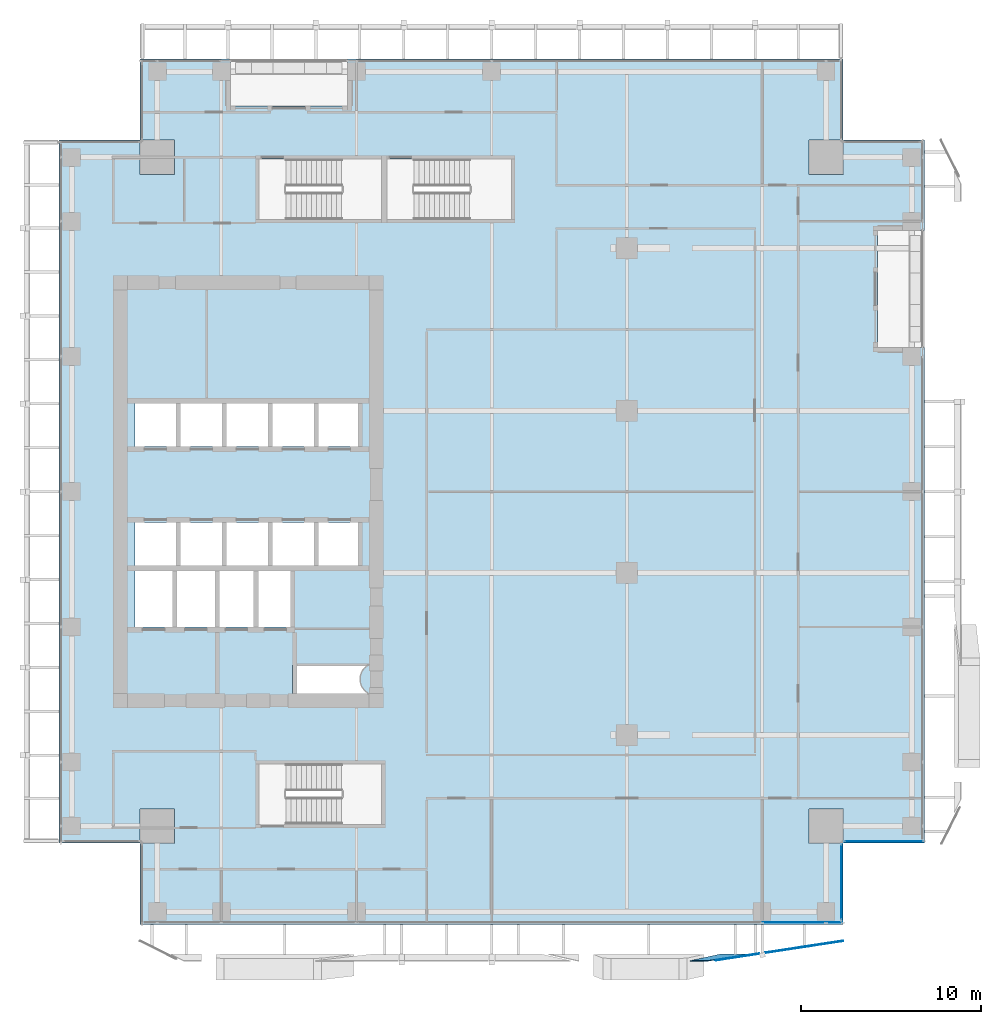
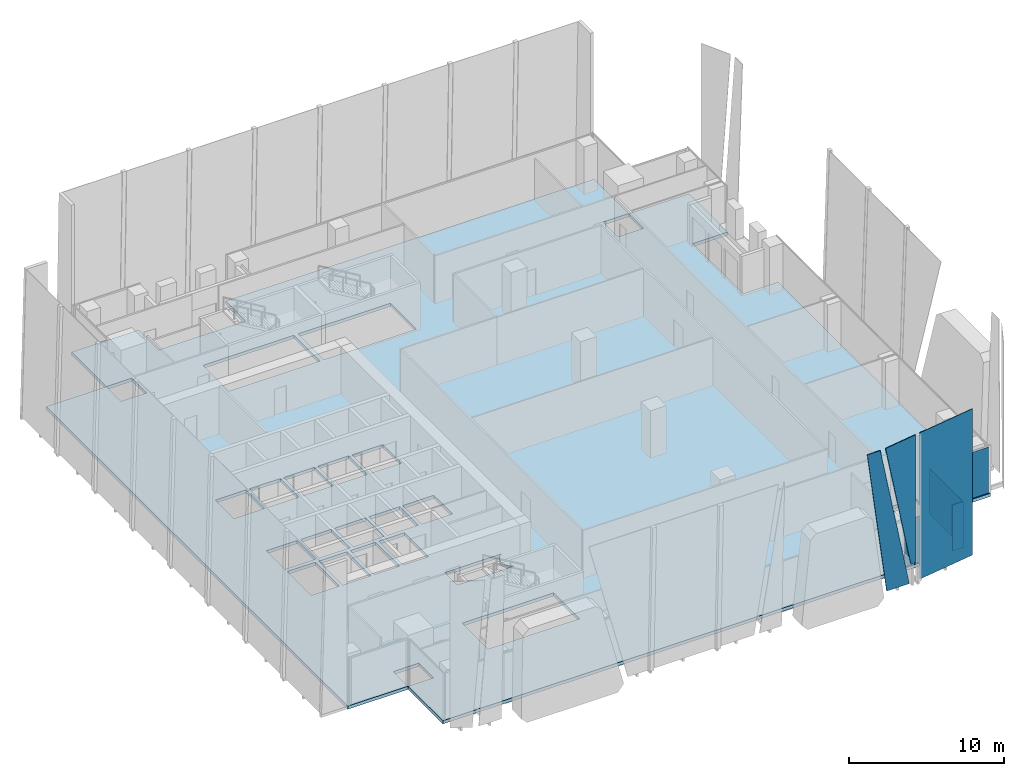
# One storey, part 24 of 35: 7 plates, 1 slab, 3 elements without a shape of their own.
"""IFC4 building model written with IfcOpenShell, lengths in metres."""

import ifcopenshell
import ifcopenshell.guid

model = None  # the IFC model being written
_history = None  # IfcOwnerHistory: only IFC2X3 demands one
_inside = {}  # id of a spatial element -> (the spatial element, [elements in it])
_under = {}  # id of a project, library or spatial element -> (it, [spatial elements below it])
_declared = {}  # id of a project -> (the project, [libraries it declares])
_typed = {}  # id of a type object -> (the type object, [elements of that type])
_made_of = {}  # id of a material, layer set ... -> (it, [elements and type objects made of it])


def new_model(schema):
    """Start an empty IFC model of exactly this schema.

    Asked for "IFC4X3", IfcOpenShell would pick the latest addendum, in which some entities
    have other attributes; the version numbers below select the first issue.
    IFC2X3 requires an IfcOwnerHistory on every rooted entity: one is made here for all.
    """
    global model, _history
    if schema == "IFC4X3":
        model = ifcopenshell.file(schema_version=(4, 3, 0, 0))
    else:
        model = ifcopenshell.file(schema=schema)
    _inside.clear()
    _under.clear()
    _declared.clear()
    _typed.clear()
    _made_of.clear()
    _history = None
    if model.schema == "IFC2X3":
        org = make("IfcOrganization", Name="unknown")
        user = make(
            "IfcPersonAndOrganization",
            ThePerson=make("IfcPerson", FamilyName="unknown"),
            TheOrganization=org,
        )
        app = make(
            "IfcApplication",
            ApplicationDeveloper=org,
            Version="unknown",
            ApplicationFullName="unknown",
            ApplicationIdentifier="unknown",
        )
        _history = make(
            "IfcOwnerHistory",
            OwningUser=user,
            OwningApplication=app,
            ChangeAction="ADDED",
            CreationDate=0,
        )
    return model


def make(cls, **values):
    """One entity of the class cls with the attributes given. An attribute that is None is left unset."""
    return model.create_entity(
        cls, **{name: value for name, value in values.items() if value is not None}
    )


def rooted(cls, **values):
    """An entity with a GlobalId (a new one), such as an element, a storey or a relation."""
    return make(cls, GlobalId=ifcopenshell.guid.new(), OwnerHistory=_history, **values)


def si_unit(unit_type, name, prefix=None):
    """IfcSIUnit, for example si_unit("LENGTHUNIT", "METRE", prefix="MILLI")."""
    return make("IfcSIUnit", UnitType=unit_type, Prefix=prefix, Name=name)


def assignment(units):
    """IfcUnitAssignment: the units of a project."""
    return None if units is None else make("IfcUnitAssignment", Units=units)


def point(xyz):
    """IfcCartesianPoint."""
    return None if xyz is None else make("IfcCartesianPoint", Coordinates=xyz)


def direction(xyz):
    """IfcDirection."""
    return None if xyz is None else make("IfcDirection", DirectionRatios=xyz)


def frame(location, z_axis=None, x_axis=None):
    """IfcAxis2Placement3D, a coordinate frame: its origin and axes. An axis left out is left unset."""
    return make(
        "IfcAxis2Placement3D",
        Location=point(location),
        Axis=direction(z_axis),
        RefDirection=direction(x_axis),
    )


def frame_2d(location, x_axis=None):
    """IfcAxis2Placement2D, a coordinate frame in the plane: its origin and x axis."""
    return make(
        "IfcAxis2Placement2D", Location=point(location), RefDirection=direction(x_axis)
    )


def origin():
    """The frame at (0, 0, 0) with its axes left unset."""
    return frame((0.0, 0.0, 0.0))


def origin_2d():
    """The frame at (0, 0) in the plane with its x axis left unset."""
    return frame_2d((0.0, 0.0))


def place(relative_to, where):
    """IfcLocalPlacement: puts the frame where relative to a parent placement (None: the world)."""
    return make(
        "IfcLocalPlacement", PlacementRelTo=relative_to, RelativePlacement=where
    )


def context(
    kind, dimensions, precision=None, world=None, true_north=None, identifier=None
):
    """IfcGeometricRepresentationContext, for example the 3D "Model" context."""
    return make(
        "IfcGeometricRepresentationContext",
        ContextIdentifier=identifier,
        ContextType=kind,
        CoordinateSpaceDimension=dimensions,
        Precision=precision,
        WorldCoordinateSystem=world,
        TrueNorth=true_north,
    )


def subcontext(parent, identifier, kind, view, scale=None):
    """IfcGeometricRepresentationSubContext, for example "Body" below "Model"."""
    return make(
        "IfcGeometricRepresentationSubContext",
        ContextIdentifier=identifier,
        ContextType=kind,
        ParentContext=parent,
        TargetScale=scale,
        TargetView=view,
    )


def project(units=None, contexts=None):
    """IfcProject with its units and contexts."""
    return rooted(
        "IfcProject",
        Name="project",
        RepresentationContexts=contexts,
        UnitsInContext=assignment(units),
    )


def spatial(cls, under=None, at=None, **own):
    """A site, building, storey or space (cls), placed at a placement, below another one or the project."""
    s = rooted(cls, ObjectPlacement=at, **own)
    if under is not None:
        _under.setdefault(under.id(), (under, []))[1].append(s)
    return s


def polyline(points):
    """IfcPolyline through the points."""
    return make("IfcPolyline", Points=[point(p) for p in points])


def profile(cls, at=None, kind="AREA", **sizes):
    """A parametric profile (cls). Its sizes go by their IFC names, for example OverallWidth=200.0."""
    return make(cls, ProfileType=kind, Position=at, **sizes)


def rectangle(**sizes):
    """IfcRectangleProfileDef."""
    return profile("IfcRectangleProfileDef", **sizes)


def outline(outer, holes=None, kind="AREA"):
    """IfcArbitraryClosedProfileDef: a profile drawn as a closed curve; with holes, ...WithVoids."""
    if holes is None:
        return make("IfcArbitraryClosedProfileDef", ProfileType=kind, OuterCurve=outer)
    return make(
        "IfcArbitraryProfileDefWithVoids",
        ProfileType=kind,
        OuterCurve=outer,
        InnerCurves=holes,
    )


def extrude(swept, where, along, depth):
    """IfcExtrudedAreaSolid: the profile swept, set in the frame where, extruded along a direction by depth."""
    return make(
        "IfcExtrudedAreaSolid",
        SweptArea=swept,
        Position=where,
        ExtrudedDirection=direction(along),
        Depth=depth,
    )


def shape(context_of_items, identifier, shape_type, items):
    """IfcShapeRepresentation: the items that make up one representation, for example the "Body"."""
    return make(
        "IfcShapeRepresentation",
        ContextOfItems=context_of_items,
        RepresentationIdentifier=identifier,
        RepresentationType=shape_type,
        Items=items,
    )


def source(mapping_origin, context_of_items, identifier, shape_type, items):
    """IfcRepresentationMap: a shape defined once, which mapped items show again and again."""
    return make(
        "IfcRepresentationMap",
        MappingOrigin=mapping_origin,
        MappedRepresentation=shape(context_of_items, identifier, shape_type, items),
    )


def transform(
    local_origin,
    x_axis=None,
    y_axis=None,
    z_axis=None,
    scale=None,
    scale2=None,
    scale3=None,
    uniform=True,
):
    """IfcCartesianTransformationOperator3D, or its non-uniform kind. x_axis, y_axis, z_axis: its Axis1, 2, 3."""
    if uniform:
        return make(
            "IfcCartesianTransformationOperator3D",
            Axis1=direction(x_axis),
            Axis2=direction(y_axis),
            LocalOrigin=point(local_origin),
            Scale=scale,
            Axis3=direction(z_axis),
        )
    return make(
        "IfcCartesianTransformationOperator3DnonUniform",
        Axis1=direction(x_axis),
        Axis2=direction(y_axis),
        LocalOrigin=point(local_origin),
        Scale=scale,
        Axis3=direction(z_axis),
        Scale2=scale2,
        Scale3=scale3,
    )


def mapped(mapping_source, mapping_target):
    """IfcMappedItem: shows the shape of a source again, moved by a transform."""
    return make(
        "IfcMappedItem", MappingSource=mapping_source, MappingTarget=mapping_target
    )


def material(Name=None, Category=None):
    """IfcMaterial."""
    return make("IfcMaterial", Name=Name, Category=Category)


def layer(
    of_material, thickness, ventilated=None, Name=None, Category=None, Priority=None
):
    """IfcMaterialLayer: one layer of a wall or slab, of a material (None: an air gap)."""
    return make(
        "IfcMaterialLayer",
        Material=of_material,
        LayerThickness=thickness,
        IsVentilated=ventilated,
        Name=Name,
        Category=Category,
        Priority=Priority,
    )


def layer_set(layers, Name=None):
    """IfcMaterialLayerSet."""
    return make("IfcMaterialLayerSet", MaterialLayers=layers, LayerSetName=Name)


def made_of(thing, what):
    """Note that an element or type object is made of a material, layer set ...; save() writes the relation."""
    if what is not None:
        _made_of.setdefault(what.id(), (what, []))[1].append(thing)
    return thing


def type_object(cls, material=None, **own):
    """A type object (cls), such as IfcWallType, which elements share."""
    return made_of(rooted(cls, **own), material)


def element(
    cls,
    number,
    at=None,
    inside=None,
    cuts=None,
    type_object=None,
    material=None,
    context=None,
    identifier="Body",
    shape_type=None,
    held_by="IfcProductDefinitionShape",
    body=None,
    shapes=None,
    **own,
):
    """One element of the class cls, such as IfcWall. Its Tag is "e" and its number.

    at: its placement. inside: the storey or other place that contains it. cuts: it is an
    opening in that element (IfcRelVoidsElement). A single representation is given by context,
    identifier, shape_type and body (its items); several are given by shapes. held_by: the class
    of the entity that holds the representations. save() writes the other relations.
    """
    e = rooted(cls, Tag="e%d" % number, ObjectPlacement=at, **own)
    if body is not None:
        shapes = [shape(context, identifier, shape_type, body)]
    if shapes is not None:
        e.Representation = make(held_by, Representations=shapes)
    if inside is not None:
        _inside.setdefault(inside.id(), (inside, []))[1].append(e)
    if cuts is not None:
        rooted(
            "IfcRelVoidsElement", RelatingBuildingElement=cuts, RelatedOpeningElement=e
        )
    if type_object is not None:
        _typed.setdefault(type_object.id(), (type_object, []))[1].append(e)
    return made_of(e, material)


def aggregate(whole, parts):
    """IfcRelAggregates: a whole, such as a stair, and the parts it consists of."""
    return rooted("IfcRelAggregates", RelatingObject=whole, RelatedObjects=parts)


def save(model, path):
    """Write the relations noted so far, then the file.

    IfcRelAggregates (storeys below a building ...), IfcRelContainedInSpatialStructure (elements
    in a storey), IfcRelDefinesByType, IfcRelAssociatesMaterial and IfcRelDeclares: one each for
    every whole, place, type object, material and project.
    """
    for whole, parts in _under.values():
        aggregate(whole, parts)
    for where, things in _inside.values():
        rooted(
            "IfcRelContainedInSpatialStructure",
            RelatedElements=things,
            RelatingStructure=where,
        )
    for kind, things in _typed.values():
        rooted("IfcRelDefinesByType", RelatedObjects=things, RelatingType=kind)
    for what, things in _made_of.values():
        rooted("IfcRelAssociatesMaterial", RelatedObjects=things, RelatingMaterial=what)
    for by, libraries in _declared.values():
        rooted("IfcRelDeclares", RelatingContext=by, RelatedDefinitions=libraries)
    model.write(path)


model = new_model("IFC4")

# Units and contexts
model_context = context("Model", 3, precision=1e-05, world=origin(), true_north=direction((0.0, 1.0)))
body_context = subcontext(model_context, "Body", "Model", "MODEL_VIEW")
ifc_project = project(units=[si_unit("LENGTHUNIT", "METRE"), si_unit("AREAUNIT", "SQUARE_METRE"), si_unit("VOLUMEUNIT", "CUBIC_METRE"), si_unit("PLANEANGLEUNIT", "RADIAN"), si_unit("MASSUNIT", "GRAM", prefix="KILO")], contexts=[model_context])

# Site, building, storey
site_placement = place(None, origin())
site = spatial("IfcSite", under=ifc_project, at=site_placement, CompositionType="ELEMENT")
building_placement = place(site_placement, origin())
building = spatial("IfcBuilding", under=site, at=building_placement, Name="Khomas Fold Tower", CompositionType="ELEMENT")
storey_placement = place(building_placement, frame((0.0, 0.0, 188.699951171875)))
storey = spatial("IfcBuildingStorey", under=building, at=storey_placement, Name="L41", CompositionType="ELEMENT", Elevation=188.699951171875)

# Plates
ifc_material_1 = material(Name="Clear laminated glass", Category="glass")
ifc_layer_1 = layer(ifc_material_1, 0.0400390625)
ifc_layer_set_1 = layer_set([ifc_layer_1], Name="Clear laminated glass")
plate_type_1 = type_object("IfcPlateType", Name="SK-Clear laminated glass leaf", PredefinedType="SHEET", material=ifc_layer_set_1)
plate_1_placement = place(storey_placement, frame((41.35302734375, 1.3486328125, 0.0), z_axis=(0.0, 0.999510363794, 0.031289497744), x_axis=(-1.0, 0.0, 0.0)))
element("IfcPlate", 1, at=plate_1_placement, inside=storey, type_object=plate_type_1, Name="OUTER SKIN glass L41 SG105-9", PredefinedType="SHEET", context=body_context, shape_type="SweptSolid", body=[
    extrude(outline(polyline([(0.0, 0.0), (1.691162109375, 0.0), (3.3466796875, 11.555706920623285), (2.378662109375, 11.555706920623285), (0.0, 0.0)])), origin(), (0.0, 0.0, -1.0), 0.0400390625),
])
plate_2_placement = place(storey_placement, frame((39.3828125, 1.01806640625, 11.550048828125), z_axis=(-0.150304014846, 0.988639824769, 9.63151e-07), x_axis=(0.98863982477, 0.150304014846, -4e-12)))
element("IfcPlate", 2, at=plate_2_placement, inside=storey, type_object=plate_type_1, Name="OUTER SKIN glass L41 SG105-10", PredefinedType="SHEET", context=body_context, shape_type="SweptSolid", body=[
    extrude(outline(polyline([(0.0, 0.0), (2.4753879204392977, -5.293955920339377e-23), (2.475387920477149, 10.05004882812034), (2.0936109154519627, 10.050048828131102), (0.0, 0.0)])), origin(), (0.0, 0.0, -1.0), 0.0400390625),
])
plate_3_placement = place(storey_placement, frame((42.169921875, 1.44189453125, 0.0), z_axis=(-0.150280921969, 0.98864333533, 0.0), x_axis=(0.0, 0.0, 1.0)))
element("IfcPlate", 3, at=plate_3_placement, inside=storey, type_object=plate_type_1, Name="OUTER SKIN glass L41 SG106-12", PredefinedType="SHEET", context=body_context, shape_type="SweptSolid", body=[
    extrude(outline(polyline([(0.0, 0.0), (11.550048828125, 0.0), (11.550048828125, 4.379818252206738), (0.0, 4.379818252206738), (0.0, 0.0)])), origin(), (0.0, 0.0, -1.0), 0.0400390625),
])

# Slab
ifc_material_2 = material(Name="Concrete C40/50", Category="concrete")
ifc_layer_2 = layer(ifc_material_2, 0.25)
ifc_layer_set_2 = layer_set([ifc_layer_2], Name="Concrete C40/50")
slab_type = type_object("IfcSlabType", Name="RC floor slab 250", PredefinedType="FLOOR", material=ifc_layer_set_2)
shared_shape_1 = source(origin(), body_context, "Body", "SweptSolid", [
    extrude(outline(polyline([(3.0, 7.5), (7.4951171875, 7.5), (7.4951171875, 9.405029296875), (9.405029296875, 9.405029296875), (9.405029296875, 7.4951171875), (7.5, 7.4951171875), (7.5, 3.0), (46.5, 3.0), (46.5, 7.4951171875), (44.594970703125, 7.4951171875), (44.594970703125, 9.405029296875), (46.5048828125, 9.405029296875), (46.5048828125, 7.5), (51.0, 7.5), (51.0, 35.0), (48.39990234375, 35.0), (48.39990234375, 41.5), (51.0, 41.5), (51.0, 46.5), (46.5048828125, 46.5), (46.5048828125, 44.594970703125), (44.594970703125, 44.594970703125), (44.594970703125, 46.5048828125), (46.5, 46.5048828125), (46.5, 51.0), (19.0, 51.0), (19.0, 48.39990234375), (12.5, 48.39990234375), (12.5, 51.0), (7.5, 51.0), (7.5, 46.5048828125), (9.405029296875, 46.5048828125), (9.405029296875, 44.594970703125), (7.4951171875, 44.594970703125), (7.4951171875, 46.5), (3.0, 46.5), (3.0, 7.5)]), holes=[polyline([(7.199951171875, 19.5), (7.199951171875, 22.60009765625), (9.300048828125, 22.60009765625), (9.300048828125, 19.5), (7.199951171875, 19.5)]), polyline([(7.199951171875, 22.89990234375), (7.199951171875, 25.300048828125), (9.5, 25.300048828125), (9.5, 22.89990234375), (7.199951171875, 22.89990234375)]), polyline([(7.199951171875, 29.5), (7.199951171875, 31.89990234375), (9.5, 31.89990234375), (9.5, 29.5), (7.199951171875, 29.5)]), polyline([(9.550048828125, 19.5), (9.550048828125, 22.60009765625), (11.64990234375, 22.60009765625), (11.64990234375, 19.5), (9.550048828125, 19.5)]), polyline([(9.75, 22.89990234375), (9.75, 25.300048828125), (12.050048828125, 25.300048828125), (12.050048828125, 22.89990234375), (9.75, 22.89990234375)]), polyline([(9.75, 29.5), (9.75, 31.89990234375), (12.050048828125, 31.89990234375), (12.050048828125, 29.5), (9.75, 29.5)]), polyline([(11.89990234375, 19.5), (11.89990234375, 22.60009765625), (13.800048828125, 22.60009765625), (13.800048828125, 19.5), (11.89990234375, 19.5)]), polyline([(12.300048828125, 22.89990234375), (12.300048828125, 25.300048828125), (14.60009765625, 25.300048828125), (14.60009765625, 22.89990234375), (12.300048828125, 22.89990234375)]), polyline([(12.300048828125, 29.5), (12.300048828125, 31.89990234375), (14.60009765625, 31.89990234375), (14.60009765625, 29.5), (12.300048828125, 29.5)]), polyline([(14.050048828125, 19.5), (14.050048828125, 22.60009765625), (15.949951171875, 22.60009765625), (15.949951171875, 19.5), (14.050048828125, 19.5)]), polyline([(14.10009765625, 8.550048828125), (14.10009765625, 11.89990234375), (20.89990234375, 11.89990234375), (20.89990234375, 8.550048828125), (14.10009765625, 8.550048828125)]), polyline([(14.10009765625, 42.10009765625), (14.10009765625, 45.449951171875), (20.89990234375, 45.449951171875), (20.89990234375, 42.10009765625), (14.10009765625, 42.10009765625)]), polyline([(14.85009765625, 22.89990234375), (14.85009765625, 25.300048828125), (17.14990234375, 25.300048828125), (17.14990234375, 22.89990234375), (14.85009765625, 22.89990234375)]), polyline([(14.85009765625, 29.5), (14.85009765625, 31.89990234375), (17.14990234375, 31.89990234375), (17.14990234375, 29.5), (14.85009765625, 29.5)]), polyline([(15.949951171875, 15.800048828125), (15.949951171875, 17.39990234375), (20.18896484375, 17.39990234375), (20.17578125, 17.393798828125), (20.10009765625, 17.348388671875), (20.029052734375, 17.295654296875), (19.963623046875, 17.236328125), (19.904296875, 17.1708984375), (19.851806640625, 17.10009765625), (19.806396484375, 17.0244140625), (19.7685546875, 16.9443359375), (19.73876953125, 16.861328125), (19.71728515625, 16.775634765625), (19.704345703125, 16.688232421875), (19.699951171875, 16.60009765625), (19.704345703125, 16.51171875), (19.71728515625, 16.42431640625), (19.73876953125, 16.338623046875), (19.7685546875, 16.255615234375), (19.806396484375, 16.17578125), (19.851806640625, 16.10009765625), (19.904296875, 16.029052734375), (19.963623046875, 15.963623046875), (20.029052734375, 15.904296875), (20.10009765625, 15.851806640625), (20.17578125, 15.806396484375), (20.18896484375, 15.800048828125), (15.949951171875, 15.800048828125)]), polyline([(17.39990234375, 22.89990234375), (17.39990234375, 25.300048828125), (19.699951171875, 25.300048828125), (19.699951171875, 22.89990234375), (17.39990234375, 22.89990234375)]), polyline([(17.39990234375, 29.5), (17.39990234375, 31.89990234375), (19.699951171875, 31.89990234375), (19.699951171875, 29.5), (17.39990234375, 29.5)]), polyline([(21.199951171875, 42.10009765625), (21.199951171875, 45.449951171875), (28.10009765625, 45.449951171875), (28.10009765625, 42.10009765625), (21.199951171875, 42.10009765625)])]), origin(), (0.0, 0.0, 1.0), 0.25),
])
slab_placement = place(storey_placement, frame((0.0, 0.0, -0.25)))
element("IfcSlab", 4, at=slab_placement, inside=storey, type_object=slab_type, Name="S-L41", PredefinedType="FLOOR", context=body_context, shape_type="MappedRepresentation", body=[
    mapped(shared_shape_1, transform((0.0, 0.0, 0.0))),
])

# Curtain wall, plate
ifc_material_3 = material(Name="Aluminium framed double glazing", Category="aluminium")
curtain_wall_type = type_object("IfcCurtainWallType", Name="SK-Unitised clear-glass wall, office floors CW2", PredefinedType="NOTDEFINED", material=ifc_material_3)
curtain_wall_1_placement = place(storey_placement, origin())
curtain_wall_1 = element("IfcCurtainWall", 5, at=curtain_wall_1_placement, inside=storey, type_object=curtain_wall_type, Name="CW2 corner return L41 02", PredefinedType="NOTDEFINED")
ifc_material_4 = material(Name="Clear double glazed unit")
ifc_layer_3 = layer(ifc_material_4, 0.030029296875)
ifc_layer_set_3 = layer_set([ifc_layer_3], Name="Clear double glazed unit")
plate_type_2 = type_object("IfcPlateType", Name="SK-Unitised clear-glass wall, office floors glass panel CW2-P", PredefinedType="CURTAIN_PANEL", material=ifc_layer_set_3)
shared_shape_2 = source(origin(), body_context, "Body", "SweptSolid", [
    extrude(rectangle(XDim=4.3798828125, YDim=0.030029296875, at=origin_2d()), origin(), (0.0, 0.0, 1.0), 3.639892578125),
])
plate_4_placement = place(storey_placement, frame((48.75, 7.60009765625, 0.0), z_axis=(0.0, 0.0, 1.0), x_axis=(1.0, 0.0, 0.0)))
plate_4 = element("IfcPlate", 6, at=plate_4_placement, type_object=plate_type_2, Name="CW2 glass panel 1", PredefinedType="CURTAIN_PANEL", context=body_context, shape_type="MappedRepresentation", body=[
    mapped(shared_shape_2, transform((0.0, 0.0, 0.0))),
])
aggregate(curtain_wall_1, [plate_4])

curtain_wall_2_placement = place(storey_placement, origin())
curtain_wall_2 = element("IfcCurtainWall", 7, at=curtain_wall_2_placement, inside=storey, type_object=curtain_wall_type, Name="CW2 run L41 00-0", PredefinedType="NOTDEFINED")
shared_shape_3 = source(origin(), body_context, "Body", "SweptSolid", [
    extrude(rectangle(XDim=3.489990234375, YDim=0.030029296875, at=origin_2d()), origin(), (0.0, 0.0, 1.0), 3.639892578125),
])
plate_5_placement = place(storey_placement, frame((43.77490234375, 3.10009765625, 0.0), z_axis=(0.0, 0.0, 1.0), x_axis=(1.0, 0.0, 0.0)))
plate_5 = element("IfcPlate", 8, at=plate_5_placement, type_object=plate_type_2, Name="CW2 glass panel 5", PredefinedType="CURTAIN_PANEL", context=body_context, shape_type="MappedRepresentation", body=[
    mapped(shared_shape_3, transform((0.0, 0.0, 0.0))),
])

curtain_wall_3_placement = place(storey_placement, origin())
curtain_wall_3 = element("IfcCurtainWall", 9, at=curtain_wall_3_placement, inside=storey, type_object=curtain_wall_type, Name="CW2 corner return L41 01", PredefinedType="NOTDEFINED")
shared_shape_4 = source(origin(), body_context, "Body", "SweptSolid", [
    extrude(rectangle(XDim=4.179931640625, YDim=0.030029296875, at=origin_2d()), origin(), (0.0, 0.0, 1.0), 3.639892578125),
])
plate_6_placement = place(storey_placement, frame((46.39990234375, 5.35009765625, 0.0), z_axis=(0.0, 0.0, 1.0), x_axis=(0.0, 1.0, 0.0)))
plate_6 = element("IfcPlate", 10, at=plate_6_placement, type_object=plate_type_2, Name="CW2 glass panel 1", PredefinedType="CURTAIN_PANEL", context=body_context, shape_type="MappedRepresentation", body=[
    mapped(shared_shape_4, transform((0.0, 0.0, 0.0))),
])
aggregate(curtain_wall_3, [plate_6])

# Plate
shared_shape_5 = source(origin(), body_context, "Body", "SweptSolid", [
    extrude(rectangle(XDim=0.860107421875, YDim=0.030029296875, at=origin_2d()), origin(), (0.0, 0.0, 1.0), 3.639892578125),
])
plate_7_placement = place(storey_placement, frame((46.010009765625, 3.10009765625, 0.0), z_axis=(0.0, 0.0, 1.0), x_axis=(1.0, 0.0, 0.0)))
plate_7 = element("IfcPlate", 11, at=plate_7_placement, type_object=plate_type_2, Name="CW2 glass panel 6", PredefinedType="CURTAIN_PANEL", context=body_context, shape_type="MappedRepresentation", body=[
    mapped(shared_shape_5, transform((0.0, 0.0, 0.0))),
])

aggregate(curtain_wall_2, [plate_5, plate_7])

save(model, "model.ifc")
